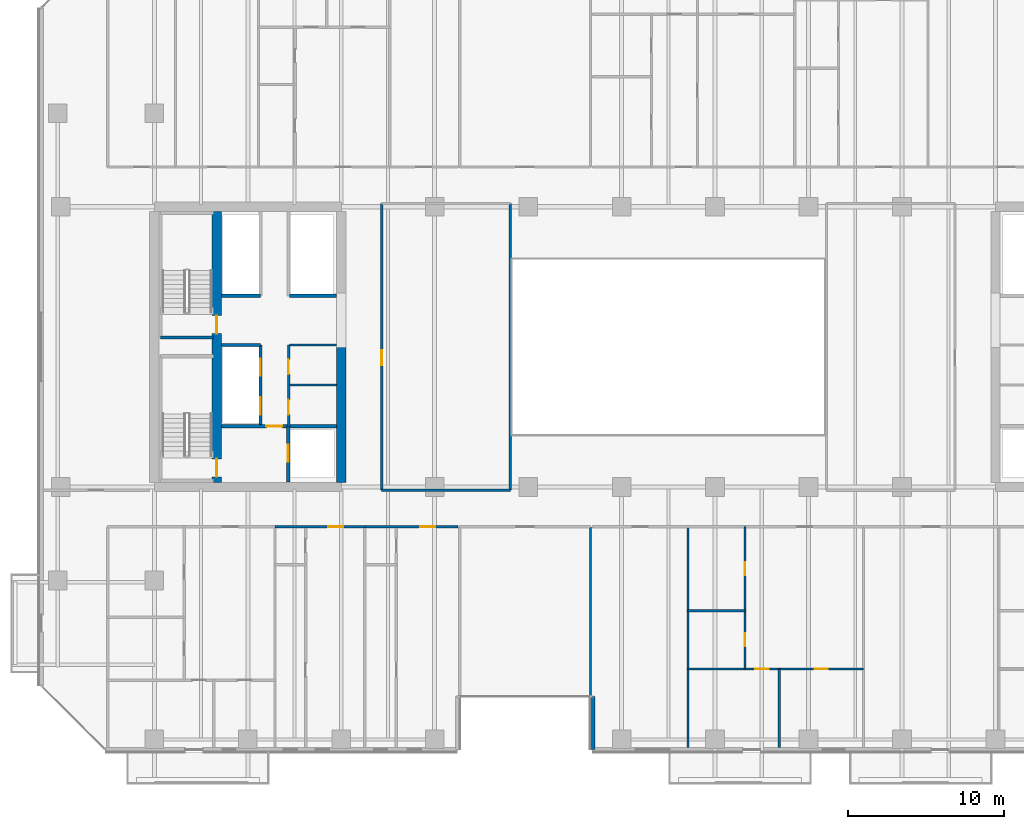
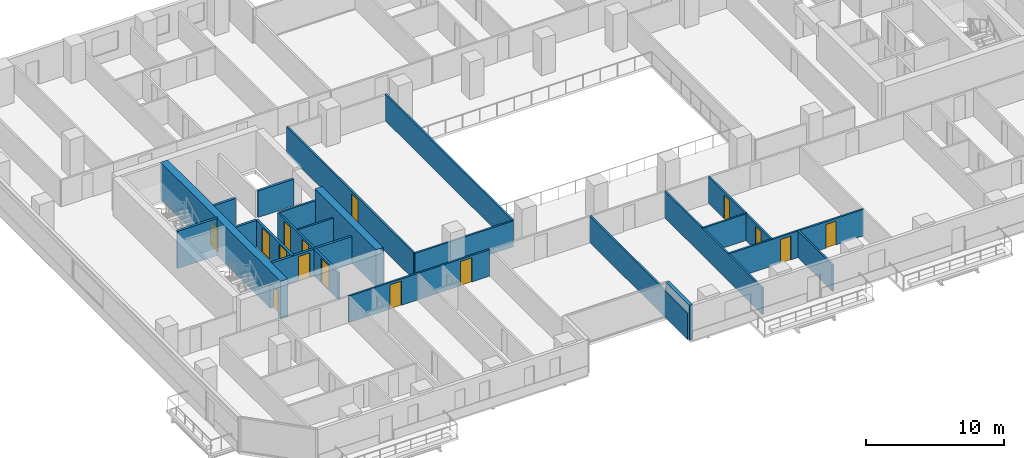
# One storey, part 18 of 33: 24 walls, 15 doors, 15 openings.
"""IFC4 building model written with IfcOpenShell, lengths in metres."""

import ifcopenshell
import ifcopenshell.guid

model = None  # the IFC model being written
_history = None  # IfcOwnerHistory: only IFC2X3 demands one
_inside = {}  # id of a spatial element -> (the spatial element, [elements in it])
_under = {}  # id of a project, library or spatial element -> (it, [spatial elements below it])
_declared = {}  # id of a project -> (the project, [libraries it declares])
_typed = {}  # id of a type object -> (the type object, [elements of that type])
_made_of = {}  # id of a material, layer set ... -> (it, [elements and type objects made of it])


def new_model(schema):
    """Start an empty IFC model of exactly this schema.

    Asked for "IFC4X3", IfcOpenShell would pick the latest addendum, in which some entities
    have other attributes; the version numbers below select the first issue.
    IFC2X3 requires an IfcOwnerHistory on every rooted entity: one is made here for all.
    """
    global model, _history
    if schema == "IFC4X3":
        model = ifcopenshell.file(schema_version=(4, 3, 0, 0))
    else:
        model = ifcopenshell.file(schema=schema)
    _inside.clear()
    _under.clear()
    _declared.clear()
    _typed.clear()
    _made_of.clear()
    _history = None
    if model.schema == "IFC2X3":
        org = make("IfcOrganization", Name="unknown")
        user = make(
            "IfcPersonAndOrganization",
            ThePerson=make("IfcPerson", FamilyName="unknown"),
            TheOrganization=org,
        )
        app = make(
            "IfcApplication",
            ApplicationDeveloper=org,
            Version="unknown",
            ApplicationFullName="unknown",
            ApplicationIdentifier="unknown",
        )
        _history = make(
            "IfcOwnerHistory",
            OwningUser=user,
            OwningApplication=app,
            ChangeAction="ADDED",
            CreationDate=0,
        )
    return model


def make(cls, **values):
    """One entity of the class cls with the attributes given. An attribute that is None is left unset."""
    return model.create_entity(
        cls, **{name: value for name, value in values.items() if value is not None}
    )


def rooted(cls, **values):
    """An entity with a GlobalId (a new one), such as an element, a storey or a relation."""
    return make(cls, GlobalId=ifcopenshell.guid.new(), OwnerHistory=_history, **values)


def si_unit(unit_type, name, prefix=None):
    """IfcSIUnit, for example si_unit("LENGTHUNIT", "METRE", prefix="MILLI")."""
    return make("IfcSIUnit", UnitType=unit_type, Prefix=prefix, Name=name)


def assignment(units):
    """IfcUnitAssignment: the units of a project."""
    return None if units is None else make("IfcUnitAssignment", Units=units)


def point(xyz):
    """IfcCartesianPoint."""
    return None if xyz is None else make("IfcCartesianPoint", Coordinates=xyz)


def direction(xyz):
    """IfcDirection."""
    return None if xyz is None else make("IfcDirection", DirectionRatios=xyz)


def frame(location, z_axis=None, x_axis=None):
    """IfcAxis2Placement3D, a coordinate frame: its origin and axes. An axis left out is left unset."""
    return make(
        "IfcAxis2Placement3D",
        Location=point(location),
        Axis=direction(z_axis),
        RefDirection=direction(x_axis),
    )


def frame_2d(location, x_axis=None):
    """IfcAxis2Placement2D, a coordinate frame in the plane: its origin and x axis."""
    return make(
        "IfcAxis2Placement2D", Location=point(location), RefDirection=direction(x_axis)
    )


def origin():
    """The frame at (0, 0, 0) with its axes left unset."""
    return frame((0.0, 0.0, 0.0))


def place(relative_to, where):
    """IfcLocalPlacement: puts the frame where relative to a parent placement (None: the world)."""
    return make(
        "IfcLocalPlacement", PlacementRelTo=relative_to, RelativePlacement=where
    )


def context(
    kind, dimensions, precision=None, world=None, true_north=None, identifier=None
):
    """IfcGeometricRepresentationContext, for example the 3D "Model" context."""
    return make(
        "IfcGeometricRepresentationContext",
        ContextIdentifier=identifier,
        ContextType=kind,
        CoordinateSpaceDimension=dimensions,
        Precision=precision,
        WorldCoordinateSystem=world,
        TrueNorth=true_north,
    )


def subcontext(parent, identifier, kind, view, scale=None):
    """IfcGeometricRepresentationSubContext, for example "Body" below "Model"."""
    return make(
        "IfcGeometricRepresentationSubContext",
        ContextIdentifier=identifier,
        ContextType=kind,
        ParentContext=parent,
        TargetScale=scale,
        TargetView=view,
    )


def project(units=None, contexts=None):
    """IfcProject with its units and contexts."""
    return rooted(
        "IfcProject",
        Name="project",
        RepresentationContexts=contexts,
        UnitsInContext=assignment(units),
    )


def spatial(cls, under=None, at=None, **own):
    """A site, building, storey or space (cls), placed at a placement, below another one or the project."""
    s = rooted(cls, ObjectPlacement=at, **own)
    if under is not None:
        _under.setdefault(under.id(), (under, []))[1].append(s)
    return s


def profile(cls, at=None, kind="AREA", **sizes):
    """A parametric profile (cls). Its sizes go by their IFC names, for example OverallWidth=200.0."""
    return make(cls, ProfileType=kind, Position=at, **sizes)


def rectangle(**sizes):
    """IfcRectangleProfileDef."""
    return profile("IfcRectangleProfileDef", **sizes)


def extrude(swept, where, along, depth):
    """IfcExtrudedAreaSolid: the profile swept, set in the frame where, extruded along a direction by depth."""
    return make(
        "IfcExtrudedAreaSolid",
        SweptArea=swept,
        Position=where,
        ExtrudedDirection=direction(along),
        Depth=depth,
    )


def shape(context_of_items, identifier, shape_type, items):
    """IfcShapeRepresentation: the items that make up one representation, for example the "Body"."""
    return make(
        "IfcShapeRepresentation",
        ContextOfItems=context_of_items,
        RepresentationIdentifier=identifier,
        RepresentationType=shape_type,
        Items=items,
    )


def material(Name=None, Category=None):
    """IfcMaterial."""
    return make("IfcMaterial", Name=Name, Category=Category)


def layer(
    of_material, thickness, ventilated=None, Name=None, Category=None, Priority=None
):
    """IfcMaterialLayer: one layer of a wall or slab, of a material (None: an air gap)."""
    return make(
        "IfcMaterialLayer",
        Material=of_material,
        LayerThickness=thickness,
        IsVentilated=ventilated,
        Name=Name,
        Category=Category,
        Priority=Priority,
    )


def layer_set(layers, Name=None):
    """IfcMaterialLayerSet."""
    return make("IfcMaterialLayerSet", MaterialLayers=layers, LayerSetName=Name)


def made_of(thing, what):
    """Note that an element or type object is made of a material, layer set ...; save() writes the relation."""
    if what is not None:
        _made_of.setdefault(what.id(), (what, []))[1].append(thing)
    return thing


def type_object(cls, material=None, **own):
    """A type object (cls), such as IfcWallType, which elements share."""
    return made_of(rooted(cls, **own), material)


def element(
    cls,
    number,
    at=None,
    inside=None,
    cuts=None,
    type_object=None,
    material=None,
    context=None,
    identifier="Body",
    shape_type=None,
    held_by="IfcProductDefinitionShape",
    body=None,
    shapes=None,
    **own,
):
    """One element of the class cls, such as IfcWall. Its Tag is "e" and its number.

    at: its placement. inside: the storey or other place that contains it. cuts: it is an
    opening in that element (IfcRelVoidsElement). A single representation is given by context,
    identifier, shape_type and body (its items); several are given by shapes. held_by: the class
    of the entity that holds the representations. save() writes the other relations.
    """
    e = rooted(cls, Tag="e%d" % number, ObjectPlacement=at, **own)
    if body is not None:
        shapes = [shape(context, identifier, shape_type, body)]
    if shapes is not None:
        e.Representation = make(held_by, Representations=shapes)
    if inside is not None:
        _inside.setdefault(inside.id(), (inside, []))[1].append(e)
    if cuts is not None:
        rooted(
            "IfcRelVoidsElement", RelatingBuildingElement=cuts, RelatedOpeningElement=e
        )
    if type_object is not None:
        _typed.setdefault(type_object.id(), (type_object, []))[1].append(e)
    return made_of(e, material)


def fill(opening, filler):
    """IfcRelFillsElement: the door or window that sits in an opening."""
    return rooted(
        "IfcRelFillsElement",
        RelatingOpeningElement=opening,
        RelatedBuildingElement=filler,
    )


def aggregate(whole, parts):
    """IfcRelAggregates: a whole, such as a stair, and the parts it consists of."""
    return rooted("IfcRelAggregates", RelatingObject=whole, RelatedObjects=parts)


def save(model, path):
    """Write the relations noted so far, then the file.

    IfcRelAggregates (storeys below a building ...), IfcRelContainedInSpatialStructure (elements
    in a storey), IfcRelDefinesByType, IfcRelAssociatesMaterial and IfcRelDeclares: one each for
    every whole, place, type object, material and project.
    """
    for whole, parts in _under.values():
        aggregate(whole, parts)
    for where, things in _inside.values():
        rooted(
            "IfcRelContainedInSpatialStructure",
            RelatedElements=things,
            RelatingStructure=where,
        )
    for kind, things in _typed.values():
        rooted("IfcRelDefinesByType", RelatedObjects=things, RelatingType=kind)
    for what, things in _made_of.values():
        rooted("IfcRelAssociatesMaterial", RelatedObjects=things, RelatingMaterial=what)
    for by, libraries in _declared.values():
        rooted("IfcRelDeclares", RelatingContext=by, RelatedDefinitions=libraries)
    model.write(path)


model = new_model("IFC4")

# Units and contexts
model_context = context("Model", 3, precision=1e-05, world=origin(), true_north=direction((0.0, 1.0)))
body_context = subcontext(model_context, "Body", "Model", "MODEL_VIEW")
ifc_project = project(units=[si_unit("LENGTHUNIT", "METRE"), si_unit("AREAUNIT", "SQUARE_METRE"), si_unit("VOLUMEUNIT", "CUBIC_METRE"), si_unit("PLANEANGLEUNIT", "RADIAN"), si_unit("MASSUNIT", "GRAM", prefix="KILO")], contexts=[model_context])

# Site, building, storey
site_placement = place(None, origin())
site = spatial("IfcSite", under=ifc_project, at=site_placement, CompositionType="ELEMENT")
building_placement = place(site_placement, origin())
building = spatial("IfcBuilding", under=site, at=building_placement, Name="Tanjung Sevakor Pilgrim Tower", CompositionType="ELEMENT")
storey_placement = place(building_placement, frame((0.0, 0.0, 32.340087890625)))
storey = spatial("IfcBuildingStorey", under=building, at=storey_placement, Name="L08", CompositionType="ELEMENT", Elevation=32.340087890625)

# Wall
ifc_material_1 = material(Name="Concrete C60/75", Category="concrete")
ifc_layer_1 = layer(ifc_material_1, 0.60009765625)
ifc_layer_set_1 = layer_set([ifc_layer_1], Name="WALL-CW-600")
wall_type_1 = type_object("IfcWallType", Name="WALL-CW-600", PredefinedType="SHEAR", material=ifc_layer_set_1)
wall_1_placement = place(storey_placement, frame((36.0, 24.89990234375, 0.0), z_axis=(0.0, 0.0, 1.0), x_axis=(0.0, 1.0, 0.0)))
element("IfcWall", 1, at=wall_1_placement, inside=storey, type_object=wall_type_1, Name="L08 W Core Inner Shear Wall South", PredefinedType="SHEAR", context=body_context, shape_type="SweptSolid", body=[
    extrude(rectangle(XDim=8.900146484375, YDim=0.60009765625, at=frame_2d((4.4501953125, 0.0))), origin(), (0.0, 0.0, 1.0), 3.2998046875),
])

# Wall, openings, doors
wall_2_placement = place(storey_placement, frame((28.0, 24.89990234375, 0.0), z_axis=(0.0, 0.0, 1.0), x_axis=(0.0, 1.0, 0.0)))
wall_2 = element("IfcWall", 2, at=wall_2_placement, inside=storey, type_object=wall_type_1, Name="L08 W Core Stair Spine Wall", PredefinedType="SHEAR", context=body_context, shape_type="SweptSolid", body=[
    extrude(rectangle(XDim=17.400146484375, YDim=0.60009765625, at=frame_2d((8.7001953125, 0.0))), origin(), (0.0, 0.0, 1.0), 3.2998046875),
])
opening_1_placement = place(wall_2_placement, frame((0.35009765625, 0.0, 0.0)))
opening_1 = element("IfcOpeningElement", 3, at=opening_1_placement, cuts=wall_2, Name="Opening ID-ST1", PredefinedType="OPENING", context=body_context, shape_type="SweptSolid", body=[
    extrude(rectangle(XDim=1.14990234375, YDim=2.14990234375, at=frame_2d((0.574951171875, 1.074951171875))), frame((0.0, 0.31005859375, 0.0), z_axis=(0.0, -1.0, 0.0), x_axis=(1.0, 0.0, 0.0)), (0.0, 0.0, 1.0), 0.6201171875),
])
opening_2_placement = place(wall_2_placement, frame((9.550048828125, 0.0, 0.0)))
opening_2 = element("IfcOpeningElement", 4, at=opening_2_placement, cuts=wall_2, Name="Opening ID-ST1", PredefinedType="OPENING", context=body_context, shape_type="SweptSolid", body=[
    extrude(rectangle(XDim=1.14990234375, YDim=2.14990234375, at=frame_2d((0.574951171875, 1.074951171875))), frame((0.0, 0.31005859375, 0.0), z_axis=(0.0, -1.0, 0.0), x_axis=(1.0, 0.0, 0.0)), (0.0, 0.0, 1.0), 0.6201171875),
])
ifc_material_2 = material(Name="Fire-Rated Steel S355J2", Category="steel")
door_type_1 = type_object("IfcDoorType", Name="DT-FIRE-1150", OperationType="NOTDEFINED", PredefinedType="DOOR", material=ifc_material_2)
door_1_placement = place(opening_1_placement, origin())
door_1 = element("IfcDoor", 5, at=door_1_placement, inside=storey, type_object=door_type_1, Name="L08 TS-W1 Stair Fire Door", OperationType="SINGLE_SWING_RIGHT", OverallHeight=2.14990234375, OverallWidth=1.14990234375, PredefinedType="DOOR", context=body_context, shape_type="SweptSolid", body=[
    extrude(rectangle(XDim=1.14990234375, YDim=2.14990234375, at=frame_2d((0.574951171875, 1.074951171875))), frame((0.0, 0.02490234375, 0.0), z_axis=(0.0, -1.0, 0.0), x_axis=(1.0, 0.0, 0.0)), (0.0, 0.0, 1.0), 0.050048828125),
])
fill(opening_1, door_1)
door_2_placement = place(opening_2_placement, origin())
door_2 = element("IfcDoor", 6, at=door_2_placement, inside=storey, type_object=door_type_1, Name="L08 TS-W2 Stair Fire Door", OperationType="SINGLE_SWING_LEFT", OverallHeight=2.14990234375, OverallWidth=1.14990234375, PredefinedType="DOOR", context=body_context, shape_type="SweptSolid", body=[
    extrude(rectangle(XDim=1.14990234375, YDim=2.14990234375, at=frame_2d((0.574951171875, 1.074951171875))), frame((0.0, 0.02490234375, 0.0), z_axis=(0.0, -1.0, 0.0), x_axis=(1.0, 0.0, 0.0)), (0.0, 0.0, 1.0), 0.050048828125),
])
fill(opening_2, door_2)

# Walls
ifc_material_3 = material(Name="Concrete C40/50", Category="concrete")
ifc_layer_2 = layer(ifc_material_3, 0.14990234375)
ifc_layer_set_2 = layer_set([ifc_layer_2], Name="WT-COMP-150")
wall_type_2 = type_object("IfcWallType", Name="WT-COMP-150", PredefinedType="SOLIDWALL", material=ifc_layer_set_2)
for number, where, z_axis, x_axis, name in (
    (7, (32.679931640625, 31.14990234375, 0.0), (0.0, 0.0, 1.0), (1.0, 0.0, 0.0), "L08 Partition IW-L08-005"),
    (8, (32.679931640625, 33.719970703125, 0.0), (0.0, 0.0, 1.0), (1.0, 0.0, 0.0), "L08 Partition IW-L08-006"),
):
    element("IfcWall", number, at=place(storey_placement, frame(where, z_axis=z_axis, x_axis=x_axis)), inside=storey, type_object=wall_type_2, Name=name, PredefinedType="SOLIDWALL", context=body_context, shape_type="SweptSolid", body=[
        extrude(rectangle(XDim=3.0, YDim=0.14990234375, at=frame_2d((1.5, 0.0))), origin(), (0.0, 0.0, 1.0), 2.35009765625),
    ])

# Wall, openings, doors
wall_3_placement = place(storey_placement, frame((32.6201171875, 28.5, 0.0), z_axis=(0.0, 0.0, 1.0), x_axis=(0.0, 1.0, 0.0)))
wall_3 = element("IfcWall", 9, at=wall_3_placement, inside=storey, type_object=wall_type_2, Name="L08 Partition IW-L08-007", PredefinedType="SOLIDWALL", context=body_context, shape_type="SweptSolid", body=[
    extrude(rectangle(XDim=5.219970703125, YDim=0.14990234375, at=frame_2d((2.60986328125, 0.0))), origin(), (0.0, 0.0, 1.0), 2.35009765625),
])
opening_3_placement = place(wall_3_placement, frame((0.75, 0.0, 0.0)))
opening_3 = element("IfcOpeningElement", 10, at=opening_3_placement, cuts=wall_3, Name="Opening ID-FD2", PredefinedType="OPENING", context=body_context, shape_type="SweptSolid", body=[
    extrude(rectangle(XDim=0.949951171875, YDim=2.14990234375, at=frame_2d((0.47509765625, 1.074951171875))), frame((0.0, 0.0849609375, 0.0), z_axis=(0.0, -1.0, 0.0), x_axis=(1.0, 0.0, 0.0)), (0.0, 0.0, 1.0), 0.169921875),
])
opening_4_placement = place(wall_3_placement, frame((3.35009765625, 0.0, 0.0)))
opening_4 = element("IfcOpeningElement", 11, at=opening_4_placement, cuts=wall_3, Name="Opening ID-FD2", PredefinedType="OPENING", context=body_context, shape_type="SweptSolid", body=[
    extrude(rectangle(XDim=0.949951171875, YDim=2.14990234375, at=frame_2d((0.47509765625, 1.074951171875))), frame((0.0, 0.0849609375, 0.0), z_axis=(0.0, -1.0, 0.0), x_axis=(1.0, 0.0, 0.0)), (0.0, 0.0, 1.0), 0.169921875),
])
ifc_material_4 = material(Name="Fire-Rated Timber", Category="wood")
door_type_2 = type_object("IfcDoorType", Name="DT-FIRE-950", OperationType="NOTDEFINED", PredefinedType="DOOR", material=ifc_material_4)
door_3_placement = place(opening_3_placement, origin())
door_3 = element("IfcDoor", 12, at=door_3_placement, inside=storey, type_object=door_type_2, Name="L08 Accessible WC Door", OperationType="SINGLE_SWING_LEFT", OverallHeight=2.14990234375, OverallWidth=0.949951171875, PredefinedType="DOOR", context=body_context, shape_type="SweptSolid", body=[
    extrude(rectangle(XDim=0.949951171875, YDim=2.14990234375, at=frame_2d((0.47509765625, 1.074951171875))), frame((0.0, 0.02490234375, 0.0), z_axis=(0.0, -1.0, 0.0), x_axis=(1.0, 0.0, 0.0)), (0.0, 0.0, 1.0), 0.050048828125),
])
fill(opening_3, door_3)
door_4_placement = place(opening_4_placement, origin())
door_4 = element("IfcDoor", 13, at=door_4_placement, inside=storey, type_object=door_type_2, Name="L08 Core Service Door", OperationType="SINGLE_SWING_RIGHT", OverallHeight=2.14990234375, OverallWidth=0.949951171875, PredefinedType="DOOR", context=body_context, shape_type="SweptSolid", body=[
    extrude(rectangle(XDim=0.949951171875, YDim=2.14990234375, at=frame_2d((0.47509765625, 1.074951171875))), frame((0.0, 0.02490234375, 0.0), z_axis=(0.0, -1.0, 0.0), x_axis=(1.0, 0.0, 0.0)), (0.0, 0.0, 1.0), 0.050048828125),
])
fill(opening_4, door_4)

# Wall
wall_4_placement = place(storey_placement, frame((38.60009765625, 24.39990234375, 0.0), z_axis=(0.0, 0.0, 1.0), x_axis=(1.0, 0.0, 0.0)))
element("IfcWall", 14, at=wall_4_placement, inside=storey, type_object=wall_type_2, Name="L08 Partition IW-L08-023", PredefinedType="SOLIDWALL", context=body_context, shape_type="SweptSolid", body=[
    extrude(rectangle(XDim=8.25, YDim=0.14990234375, at=frame_2d((4.125, 0.0))), origin(), (0.0, 0.0, 1.0), 2.295166015625),
])

# Wall, opening, door
wall_5_placement = place(storey_placement, frame((38.60009765625, 24.39990234375, 0.0), z_axis=(0.0, 0.0, 1.0), x_axis=(0.0, 1.0, 0.0)))
wall_5 = element("IfcWall", 15, at=wall_5_placement, inside=storey, type_object=wall_type_2, Name="L08 Partition IW-L08-025", PredefinedType="SOLIDWALL", context=body_context, shape_type="SweptSolid", body=[
    extrude(rectangle(XDim=18.400146484375, YDim=0.14990234375, at=frame_2d((9.2001953125, 0.0))), origin(), (0.0, 0.0, 1.0), 2.35009765625),
])
opening_5_placement = place(wall_5_placement, frame((8.02490234375, 0.0, 0.0)))
opening_5 = element("IfcOpeningElement", 16, at=opening_5_placement, cuts=wall_5, Name="Opening ID-RM1", PredefinedType="OPENING", context=body_context, shape_type="SweptSolid", body=[
    extrude(rectangle(XDim=0.949951171875, YDim=2.14990234375, at=frame_2d((0.47509765625, 1.074951171875))), frame((0.0, 0.0849609375, 0.0), z_axis=(0.0, -1.0, 0.0), x_axis=(1.0, 0.0, 0.0)), (0.0, 0.0, 1.0), 0.169921875),
])
ifc_material_5 = material(Name="Hardwood Timber", Category="wood")
door_type_3 = type_object("IfcDoorType", Name="DT-INT-950", OperationType="NOTDEFINED", PredefinedType="DOOR", material=ifc_material_5)
door_5_placement = place(opening_5_placement, origin())
door_5 = element("IfcDoor", 17, at=door_5_placement, inside=storey, type_object=door_type_3, Name="L08 Central West Room Door", OperationType="SINGLE_SWING_LEFT", OverallHeight=2.14990234375, OverallWidth=0.949951171875, PredefinedType="DOOR", context=body_context, shape_type="SweptSolid", body=[
    extrude(rectangle(XDim=0.949951171875, YDim=2.14990234375, at=frame_2d((0.47509765625, 1.074951171875))), frame((0.0, 0.02490234375, 0.0), z_axis=(0.0, -1.0, 0.0), x_axis=(1.0, 0.0, 0.0)), (0.0, 0.0, 1.0), 0.050048828125),
])
fill(opening_5, door_5)

# Walls
wall_6_placement = place(storey_placement, frame((46.85009765625, 24.39990234375, 0.0), z_axis=(0.0, 0.0, 1.0), x_axis=(0.0, 1.0, 0.0)))
element("IfcWall", 18, at=wall_6_placement, inside=storey, type_object=wall_type_2, Name="L08 Partition IW-L08-026", PredefinedType="SOLIDWALL", context=body_context, shape_type="SweptSolid", body=[
    extrude(rectangle(XDim=18.400146484375, YDim=0.14990234375, at=frame_2d((9.2001953125, 0.0))), origin(), (0.0, 0.0, 1.0), 2.35009765625),
])
wall_7_placement = place(storey_placement, frame((52.0, 7.8798828125, 0.0), z_axis=(0.0, 0.0, 1.0), x_axis=(0.0, 1.0, 0.0)))
element("IfcWall", 19, at=wall_7_placement, inside=storey, type_object=wall_type_2, Name="L08 Partition IW-L08-040", PredefinedType="SOLIDWALL", context=body_context, shape_type="SweptSolid", body=[
    extrude(rectangle(XDim=14.170166015625, YDim=0.14990234375, at=frame_2d((7.0849609375, 0.0))), origin(), (0.0, 0.0, 1.0), 2.35009765625),
])

# Wall, opening, door
wall_8_placement = place(storey_placement, frame((31.751220703125, 22.050048828125, 0.0), z_axis=(0.0, 0.0, 1.0), x_axis=(1.0, 0.0, 0.0)))
wall_8 = element("IfcWall", 20, at=wall_8_placement, inside=storey, type_object=wall_type_2, Name="L08 Partition IW-L08-054", PredefinedType="SOLIDWALL", context=body_context, shape_type="SweptSolid", body=[
    extrude(rectangle(XDim=5.761474609375, YDim=0.14990234375, at=frame_2d((2.880859375, 0.0))), origin(), (0.0, 0.0, 1.0), 2.35009765625),
])
opening_6_placement = place(wall_8_placement, frame((3.42529296875, 0.0, 0.0)))
opening_6 = element("IfcOpeningElement", 21, at=opening_6_placement, cuts=wall_8, Name="Opening ID-FD2", PredefinedType="OPENING", context=body_context, shape_type="SweptSolid", body=[
    extrude(rectangle(XDim=0.949951171875, YDim=2.14990234375, at=frame_2d((0.47509765625, 1.074951171875))), frame((0.0, 0.0849609375, 0.0), z_axis=(0.0, -1.0, 0.0), x_axis=(1.0, 0.0, 0.0)), (0.0, 0.0, 1.0), 0.169921875),
])
door_6_placement = place(opening_6_placement, origin())
door_6 = element("IfcDoor", 22, at=door_6_placement, inside=storey, type_object=door_type_2, Name="Hotel Guestroom Entrance", OperationType="SINGLE_SWING_LEFT", OverallHeight=2.14990234375, OverallWidth=0.949951171875, PredefinedType="DOOR", context=body_context, shape_type="SweptSolid", body=[
    extrude(rectangle(XDim=0.949951171875, YDim=2.14990234375, at=frame_2d((0.47509765625, 1.074951171875))), frame((0.0, 0.02490234375, 0.0), z_axis=(0.0, -1.0, 0.0), x_axis=(1.0, 0.0, 0.0)), (0.0, 0.0, 1.0), 0.050048828125),
])
fill(opening_6, door_6)

wall_9_placement = place(storey_placement, frame((37.5126953125, 22.050048828125, 0.0), z_axis=(0.0, 0.0, 1.0), x_axis=(1.0, 0.0, 0.0)))
wall_9 = element("IfcWall", 23, at=wall_9_placement, inside=storey, type_object=wall_type_2, Name="L08 Partition IW-L08-057", PredefinedType="SOLIDWALL", context=body_context, shape_type="SweptSolid", body=[
    extrude(rectangle(XDim=5.96728515625, YDim=0.14990234375, at=frame_2d((2.983642578125, 0.0))), origin(), (0.0, 0.0, 1.0), 2.35009765625),
])
opening_7_placement = place(wall_9_placement, frame((3.56298828125, 0.0, 0.0)))
opening_7 = element("IfcOpeningElement", 24, at=opening_7_placement, cuts=wall_9, Name="Opening ID-FD2", PredefinedType="OPENING", context=body_context, shape_type="SweptSolid", body=[
    extrude(rectangle(XDim=0.949951171875, YDim=2.14990234375, at=frame_2d((0.47509765625, 1.074951171875))), frame((0.0, 0.0849609375, 0.0), z_axis=(0.0, -1.0, 0.0), x_axis=(1.0, 0.0, 0.0)), (0.0, 0.0, 1.0), 0.169921875),
])
door_7_placement = place(opening_7_placement, origin())
door_7 = element("IfcDoor", 25, at=door_7_placement, inside=storey, type_object=door_type_2, Name="Hostel Quad Entrance", OperationType="SINGLE_SWING_RIGHT", OverallHeight=2.14990234375, OverallWidth=0.949951171875, PredefinedType="DOOR", context=body_context, shape_type="SweptSolid", body=[
    extrude(rectangle(XDim=0.949951171875, YDim=2.14990234375, at=frame_2d((0.47509765625, 1.074951171875))), frame((0.0, 0.02490234375, 0.0), z_axis=(0.0, -1.0, 0.0), x_axis=(1.0, 0.0, 0.0)), (0.0, 0.0, 1.0), 0.050048828125),
])
fill(opening_7, door_7)

# Walls
wall_10_placement = place(storey_placement, frame((58.262939453125, 7.8798828125, 0.0), z_axis=(0.0, 0.0, 1.0), x_axis=(0.0, 1.0, 0.0)))
element("IfcWall", 26, at=wall_10_placement, inside=storey, type_object=wall_type_2, Name="L08 Partition IW-L08-059", PredefinedType="SOLIDWALL", context=body_context, shape_type="SweptSolid", body=[
    extrude(rectangle(XDim=14.170166015625, YDim=0.14990234375, at=frame_2d((7.0849609375, 0.0))), origin(), (0.0, 0.0, 1.0), 2.35009765625),
])
ifc_material_6 = material(Name="Precast concrete C45/55", Category="concrete")
ifc_layer_3 = layer(ifc_material_6, 0.280029296875)
ifc_layer_set_3 = layer_set([ifc_layer_3], Name="WT-EW-STN2")
wall_type_3 = type_object("IfcWallType", Name="WT-EW-STN2", PredefinedType="SOLIDWALL", material=ifc_layer_set_3)
wall_11_placement = place(storey_placement, frame((52.139892578125, 11.139892578125, 0.0), z_axis=(0.0, 0.0, 1.0), x_axis=(0.0, -1.0, 0.0)))
element("IfcWall", 27, at=wall_11_placement, inside=storey, type_object=wall_type_3, Name="L08 MAIN Exterior Wall 4", PredefinedType="SOLIDWALL", context=body_context, shape_type="SweptSolid", body=[
    extrude(rectangle(XDim=3.39990234375, YDim=0.280029296875, at=frame_2d((1.699951171875, 0.0))), origin(), (0.0, 0.0, 1.0), 3.080078125),
])
ifc_material_7 = material(Name="Concrete C40/50", Category="concrete")
ifc_layer_4 = layer(ifc_material_7, 0.199951171875)
ifc_layer_set_4 = layer_set([ifc_layer_4], Name="WT-FIRE-200")
wall_type_4 = type_object("IfcWallType", Name="WT-FIRE-200", PredefinedType="SOLIDWALL", material=ifc_layer_set_4)
wall_12_placement = place(storey_placement, frame((24.39990234375, 34.199951171875, 0.0), z_axis=(0.0, 0.0, 1.0), x_axis=(1.0, 0.0, 0.0)))
element("IfcWall", 28, at=wall_12_placement, inside=storey, type_object=wall_type_4, Name="L08 TS-W2 Shaft Wall 1", PredefinedType="SOLIDWALL", context=body_context, shape_type="SweptSolid", body=[
    extrude(rectangle(XDim=3.400146484375, YDim=0.199951171875, at=frame_2d((1.7001953125, 0.0))), origin(), (0.0, 0.0, 1.0), 3.2998046875),
])

# Wall, opening, door
ifc_material_8 = material(Name="Concrete C40/50", Category="concrete")
ifc_layer_5 = layer(ifc_material_8, 0.199951171875)
ifc_layer_set_5 = layer_set([ifc_layer_5], Name="WT-FPRT-200")
wall_type_5 = type_object("IfcWallType", Name="WT-FPRT-200", PredefinedType="SOLIDWALL", material=ifc_layer_set_5)
wall_13_placement = place(storey_placement, frame((32.60009765625, 24.919921875, 0.0), z_axis=(0.0, 0.0, 1.0), x_axis=(0.0, 1.0, 0.0)))
wall_13 = element("IfcWall", 29, at=wall_13_placement, inside=storey, type_object=wall_type_5, Name="L08 Partition IW-L08-001", PredefinedType="SOLIDWALL", context=body_context, shape_type="SweptSolid", body=[
    extrude(rectangle(XDim=3.580078125, YDim=0.199951171875, at=frame_2d((1.7900390625, 0.0))), origin(), (0.0, 0.0, 1.0), 2.35009765625),
])
opening_8_placement = place(wall_13_placement, frame((1.300048828125, 0.0, 0.0)))
opening_8 = element("IfcOpeningElement", 30, at=opening_8_placement, cuts=wall_13, Name="Opening LD-1100", PredefinedType="OPENING", context=body_context, shape_type="SweptSolid", body=[
    extrude(rectangle(XDim=1.10009765625, YDim=2.199951171875, at=frame_2d((0.550048828125, 1.10009765625))), frame((0.0, 0.10986328125, 0.0), z_axis=(0.0, -1.0, 0.0), x_axis=(1.0, 0.0, 0.0)), (0.0, 0.0, 1.0), 0.219970703125),
])
ifc_material_9 = material(Name="Brushed Stainless Steel S355J2", Category="steel")
door_type_4 = type_object("IfcDoorType", Name="DT-LIFT-1100", OperationType="SLIDING_TO_LEFT", PredefinedType="DOOR", material=ifc_material_9)
door_8_placement = place(opening_8_placement, origin())
door_8 = element("IfcDoor", 31, at=door_8_placement, inside=storey, type_object=door_type_4, Name="LD-FL-W", OperationType="SLIDING_TO_LEFT", OverallHeight=2.199951171875, OverallWidth=1.10009765625, PredefinedType="DOOR", context=body_context, shape_type="SweptSolid", body=[
    extrude(rectangle(XDim=1.10009765625, YDim=2.199951171875, at=frame_2d((0.550048828125, 1.10009765625))), frame((0.0, 0.02490234375, 0.0), z_axis=(0.0, -1.0, 0.0), x_axis=(1.0, 0.0, 0.0)), (0.0, 0.0, 1.0), 0.050048828125),
])
fill(opening_8, door_8)

wall_14_placement = place(storey_placement, frame((28.320068359375, 28.5, 0.0), z_axis=(0.0, 0.0, 1.0), x_axis=(1.0, 0.0, 0.0)))
wall_14 = element("IfcWall", 32, at=wall_14_placement, inside=storey, type_object=wall_type_5, Name="L08 Partition IW-L08-002", PredefinedType="SOLIDWALL", context=body_context, shape_type="SweptSolid", body=[
    extrude(rectangle(XDim=7.35986328125, YDim=0.199951171875, at=frame_2d((3.679931640625, 0.0))), origin(), (0.0, 0.0, 1.0), 2.35009765625),
])
opening_9_placement = place(wall_14_placement, frame((2.8798828125, 0.0, 0.0)))
opening_9 = element("IfcOpeningElement", 33, at=opening_9_placement, cuts=wall_14, Name="Opening ID-FD1", PredefinedType="OPENING", context=body_context, shape_type="SweptSolid", body=[
    extrude(rectangle(XDim=1.0, YDim=2.14990234375, at=frame_2d((0.5, 1.074951171875))), frame((0.0, 0.10986328125, 0.0), z_axis=(0.0, -1.0, 0.0), x_axis=(1.0, 0.0, 0.0)), (0.0, 0.0, 1.0), 0.219970703125),
])
ifc_material_10 = material(Name="Fire-Rated Steel S355J2", Category="steel")
door_type_5 = type_object("IfcDoorType", Name="DT-FIRE-1000", OperationType="NOTDEFINED", PredefinedType="DOOR", material=ifc_material_10)
door_9_placement = place(opening_9_placement, origin())
door_9 = element("IfcDoor", 34, at=door_9_placement, inside=storey, type_object=door_type_5, Name="Fire Lobby Door W", OperationType="SINGLE_SWING_RIGHT", OverallHeight=2.14990234375, OverallWidth=1.0, PredefinedType="DOOR", context=body_context, shape_type="SweptSolid", body=[
    extrude(rectangle(XDim=1.0, YDim=2.14990234375, at=frame_2d((0.5, 1.074951171875))), frame((0.0, 0.02490234375, 0.0), z_axis=(0.0, -1.0, 0.0), x_axis=(1.0, 0.0, 0.0)), (0.0, 0.0, 1.0), 0.050048828125),
])
fill(opening_9, door_9)

# Wall
wall_15_placement = place(storey_placement, frame((28.320068359375, 33.719970703125, 0.0), z_axis=(0.0, 0.0, 1.0), x_axis=(1.0, 0.0, 0.0)))
element("IfcWall", 35, at=wall_15_placement, inside=storey, type_object=wall_type_5, Name="L08 Partition IW-L08-003", PredefinedType="SOLIDWALL", context=body_context, shape_type="SweptSolid", body=[
    extrude(rectangle(XDim=2.47998046875, YDim=0.199951171875, at=frame_2d((1.239990234375, 0.0))), origin(), (0.0, 0.0, 1.0), 2.35009765625),
])

# Wall, openings, doors
wall_16_placement = place(storey_placement, frame((30.820068359375, 28.5, 0.0), z_axis=(0.0, 0.0, 1.0), x_axis=(0.0, 1.0, 0.0)))
wall_16 = element("IfcWall", 36, at=wall_16_placement, inside=storey, type_object=wall_type_5, Name="L08 Partition IW-L08-004", PredefinedType="SOLIDWALL", context=body_context, shape_type="SweptSolid", body=[
    extrude(rectangle(XDim=5.219970703125, YDim=0.199951171875, at=frame_2d((2.60986328125, 0.0))), origin(), (0.0, 0.0, 1.0), 2.35009765625),
])
opening_10_placement = place(wall_16_placement, frame((0.75, 0.0, 0.0)))
opening_10 = element("IfcOpeningElement", 37, at=opening_10_placement, cuts=wall_16, Name="Opening LD-1100", PredefinedType="OPENING", context=body_context, shape_type="SweptSolid", body=[
    extrude(rectangle(XDim=1.10009765625, YDim=2.199951171875, at=frame_2d((0.550048828125, 1.10009765625))), frame((0.0, 0.10986328125, 0.0), z_axis=(0.0, -1.0, 0.0), x_axis=(1.0, 0.0, 0.0)), (0.0, 0.0, 1.0), 0.219970703125),
])
opening_11_placement = place(wall_16_placement, frame((3.25, 0.0, 0.0)))
opening_11 = element("IfcOpeningElement", 38, at=opening_11_placement, cuts=wall_16, Name="Opening LD-1100", PredefinedType="OPENING", context=body_context, shape_type="SweptSolid", body=[
    extrude(rectangle(XDim=1.10009765625, YDim=2.199951171875, at=frame_2d((0.550048828125, 1.10009765625))), frame((0.0, 0.10986328125, 0.0), z_axis=(0.0, -1.0, 0.0), x_axis=(1.0, 0.0, 0.0)), (0.0, 0.0, 1.0), 0.219970703125),
])
door_10_placement = place(opening_10_placement, origin())
door_10 = element("IfcDoor", 39, at=door_10_placement, inside=storey, type_object=door_type_4, Name="LD-PLL1-W", OperationType="SLIDING_TO_LEFT", OverallHeight=2.199951171875, OverallWidth=1.10009765625, PredefinedType="DOOR", context=body_context, shape_type="SweptSolid", body=[
    extrude(rectangle(XDim=1.10009765625, YDim=2.199951171875, at=frame_2d((0.550048828125, 1.10009765625))), frame((0.0, 0.02490234375, 0.0), z_axis=(0.0, -1.0, 0.0), x_axis=(1.0, 0.0, 0.0)), (0.0, 0.0, 1.0), 0.050048828125),
])
fill(opening_10, door_10)
door_11_placement = place(opening_11_placement, origin())
door_11 = element("IfcDoor", 40, at=door_11_placement, inside=storey, type_object=door_type_4, Name="LD-PLL2-W", OperationType="SLIDING_TO_RIGHT", OverallHeight=2.199951171875, OverallWidth=1.10009765625, PredefinedType="DOOR", context=body_context, shape_type="SweptSolid", body=[
    extrude(rectangle(XDim=1.10009765625, YDim=2.199951171875, at=frame_2d((0.550048828125, 1.10009765625))), frame((0.0, 0.02490234375, 0.0), z_axis=(0.0, -1.0, 0.0), x_axis=(1.0, 0.0, 0.0)), (0.0, 0.0, 1.0), 0.050048828125),
])
fill(opening_11, door_11)

# Walls
wall_17_placement = place(storey_placement, frame((28.320068359375, 36.8798828125, 0.0), z_axis=(0.0, 0.0, 1.0), x_axis=(1.0, 0.0, 0.0)))
element("IfcWall", 41, at=wall_17_placement, inside=storey, type_object=wall_type_5, Name="L08 Partition IW-L08-008", PredefinedType="SOLIDWALL", context=body_context, shape_type="SweptSolid", body=[
    extrude(rectangle(XDim=2.47998046875, YDim=0.199951171875, at=frame_2d((1.239990234375, 0.0))), origin(), (0.0, 0.0, 1.0), 2.35009765625),
])
wall_18_placement = place(storey_placement, frame((32.679931640625, 36.8798828125, 0.0), z_axis=(0.0, 0.0, 1.0), x_axis=(1.0, 0.0, 0.0)))
element("IfcWall", 42, at=wall_18_placement, inside=storey, type_object=wall_type_5, Name="L08 Partition IW-L08-010", PredefinedType="SOLIDWALL", context=body_context, shape_type="SweptSolid", body=[
    extrude(rectangle(XDim=3.0, YDim=0.199951171875, at=frame_2d((1.5, 0.0))), origin(), (0.0, 0.0, 1.0), 2.35009765625),
])
ifc_material_11 = material(Name="Gypsum Board Partition", Category="gypsum board")
ifc_layer_6 = layer(ifc_material_11, 0.14990234375)
ifc_layer_set_6 = layer_set([ifc_layer_6], Name="WT-PART-150")
wall_type_6 = type_object("IfcWallType", Name="WT-PART-150", PredefinedType="PARTITIONING", material=ifc_layer_set_6)
wall_19_placement = place(storey_placement, frame((58.262939453125, 16.661865234375, 0.0), z_axis=(0.0, 0.0, 1.0), x_axis=(1.0, 0.0, 0.0)))
element("IfcWall", 43, at=wall_19_placement, inside=storey, type_object=wall_type_6, Name="L08 Partition IW-L08-062", PredefinedType="PARTITIONING", context=body_context, shape_type="SweptSolid", body=[
    extrude(rectangle(XDim=3.656982421875, YDim=0.14990234375, at=frame_2d((1.82861328125, 0.0))), origin(), (0.0, 0.0, 1.0), 2.35009765625),
])

# Wall, openings, doors
wall_20_placement = place(storey_placement, frame((61.919921875, 12.91748046875, 0.0), z_axis=(0.0, 0.0, 1.0), x_axis=(0.0, 1.0, 0.0)))
wall_20 = element("IfcWall", 44, at=wall_20_placement, inside=storey, type_object=wall_type_6, Name="L08 Partition IW-L08-063", PredefinedType="PARTITIONING", context=body_context, shape_type="SweptSolid", body=[
    extrude(rectangle(XDim=9.132568359375, YDim=0.14990234375, at=frame_2d((4.56640625, 0.0))), origin(), (0.0, 0.0, 1.0), 2.35009765625),
])
opening_12_placement = place(wall_20_placement, frame((1.447265625, 0.0, 0.0)))
opening_12 = element("IfcOpeningElement", 45, at=opening_12_placement, cuts=wall_20, Name="Opening ID-WC1", PredefinedType="OPENING", context=body_context, shape_type="SweptSolid", body=[
    extrude(rectangle(XDim=0.85009765625, YDim=2.10009765625, at=frame_2d((0.425048828125, 1.050048828125))), frame((0.0, 0.0849609375, 0.0), z_axis=(0.0, -1.0, 0.0), x_axis=(1.0, 0.0, 0.0)), (0.0, 0.0, 1.0), 0.169921875),
])
opening_13_placement = place(wall_20_placement, frame((6.013427734375, 0.0, 0.0)))
opening_13 = element("IfcOpeningElement", 46, at=opening_13_placement, cuts=wall_20, Name="Opening ID-WC1", PredefinedType="OPENING", context=body_context, shape_type="SweptSolid", body=[
    extrude(rectangle(XDim=0.85009765625, YDim=2.10009765625, at=frame_2d((0.425048828125, 1.050048828125))), frame((0.0, 0.0849609375, 0.0), z_axis=(0.0, -1.0, 0.0), x_axis=(1.0, 0.0, 0.0)), (0.0, 0.0, 1.0), 0.169921875),
])
ifc_material_12 = material(Name="Moisture-Resistant Timber", Category="wood")
door_type_6 = type_object("IfcDoorType", Name="DT-INT-850", OperationType="NOTDEFINED", PredefinedType="DOOR", material=ifc_material_12)
door_12_placement = place(opening_12_placement, origin())
door_12 = element("IfcDoor", 47, at=door_12_placement, inside=storey, type_object=door_type_6, Name="Suite Bathroom Door", OperationType="SINGLE_SWING_RIGHT", OverallHeight=2.10009765625, OverallWidth=0.85009765625, PredefinedType="DOOR", context=body_context, shape_type="SweptSolid", body=[
    extrude(rectangle(XDim=0.85009765625, YDim=2.10009765625, at=frame_2d((0.425048828125, 1.050048828125))), frame((0.0, 0.02490234375, 0.0), z_axis=(0.0, -1.0, 0.0), x_axis=(1.0, 0.0, 0.0)), (0.0, 0.0, 1.0), 0.050048828125),
])
fill(opening_12, door_12)
door_13_placement = place(opening_13_placement, origin())
door_13 = element("IfcDoor", 48, at=door_13_placement, inside=storey, type_object=door_type_6, Name="Suite Kitchenette Door", OperationType="SINGLE_SWING_LEFT", OverallHeight=2.10009765625, OverallWidth=0.85009765625, PredefinedType="DOOR", context=body_context, shape_type="SweptSolid", body=[
    extrude(rectangle(XDim=0.85009765625, YDim=2.10009765625, at=frame_2d((0.425048828125, 1.050048828125))), frame((0.0, 0.02490234375, 0.0), z_axis=(0.0, -1.0, 0.0), x_axis=(1.0, 0.0, 0.0)), (0.0, 0.0, 1.0), 0.050048828125),
])
fill(opening_13, door_13)

# Wall
wall_21_placement = place(storey_placement, frame((64.119140625, 7.8798828125, 0.0), z_axis=(0.0, 0.0, 1.0), x_axis=(0.0, 1.0, 0.0)))
element("IfcWall", 49, at=wall_21_placement, inside=storey, type_object=wall_type_6, Name="L08 Partition IW-L08-064", PredefinedType="PARTITIONING", context=body_context, shape_type="SweptSolid", body=[
    extrude(rectangle(XDim=5.03759765625, YDim=0.14990234375, at=frame_2d((2.518798828125, 0.0))), origin(), (0.0, 0.0, 1.0), 2.35009765625),
])

# Wall, openings, doors
wall_22_placement = place(storey_placement, frame((58.262939453125, 12.91748046875, 0.0), z_axis=(0.0, 0.0, 1.0), x_axis=(1.0, 0.0, 0.0)))
wall_22 = element("IfcWall", 50, at=wall_22_placement, inside=storey, type_object=wall_type_6, Name="L08 Partition IW-L08-065", PredefinedType="PARTITIONING", context=body_context, shape_type="SweptSolid", body=[
    extrude(rectangle(XDim=11.261962890625, YDim=0.14990234375, at=frame_2d((5.630859375, 0.0))), origin(), (0.0, 0.0, 1.0), 2.35009765625),
])
opening_14_placement = place(wall_22_placement, frame((4.331787109375, 0.0, 0.0)))
opening_14 = element("IfcOpeningElement", 51, at=opening_14_placement, cuts=wall_22, Name="Opening ID-WC1", PredefinedType="OPENING", context=body_context, shape_type="SweptSolid", body=[
    extrude(rectangle(XDim=0.85009765625, YDim=2.10009765625, at=frame_2d((0.425048828125, 1.050048828125))), frame((0.0, 0.0849609375, 0.0), z_axis=(0.0, -1.0, 0.0), x_axis=(1.0, 0.0, 0.0)), (0.0, 0.0, 1.0), 0.169921875),
])
opening_15_placement = place(wall_22_placement, frame((8.134033203125, 0.0, 0.0)))
opening_15 = element("IfcOpeningElement", 52, at=opening_15_placement, cuts=wall_22, Name="Opening ID-WC1", PredefinedType="OPENING", context=body_context, shape_type="SweptSolid", body=[
    extrude(rectangle(XDim=0.85009765625, YDim=2.10009765625, at=frame_2d((0.425048828125, 1.050048828125))), frame((0.0, 0.0849609375, 0.0), z_axis=(0.0, -1.0, 0.0), x_axis=(1.0, 0.0, 0.0)), (0.0, 0.0, 1.0), 0.169921875),
])
door_14_placement = place(opening_14_placement, origin())
door_14 = element("IfcDoor", 53, at=door_14_placement, inside=storey, type_object=door_type_6, Name="Suite Bedroom 1 Door", OperationType="SINGLE_SWING_RIGHT", OverallHeight=2.10009765625, OverallWidth=0.85009765625, PredefinedType="DOOR", context=body_context, shape_type="SweptSolid", body=[
    extrude(rectangle(XDim=0.85009765625, YDim=2.10009765625, at=frame_2d((0.425048828125, 1.050048828125))), frame((0.0, 0.02490234375, 0.0), z_axis=(0.0, -1.0, 0.0), x_axis=(1.0, 0.0, 0.0)), (0.0, 0.0, 1.0), 0.050048828125),
])
fill(opening_14, door_14)
door_15_placement = place(opening_15_placement, origin())
door_15 = element("IfcDoor", 54, at=door_15_placement, inside=storey, type_object=door_type_6, Name="Suite Bedroom 2 Door", OperationType="SINGLE_SWING_LEFT", OverallHeight=2.10009765625, OverallWidth=0.85009765625, PredefinedType="DOOR", context=body_context, shape_type="SweptSolid", body=[
    extrude(rectangle(XDim=0.85009765625, YDim=2.10009765625, at=frame_2d((0.425048828125, 1.050048828125))), frame((0.0, 0.02490234375, 0.0), z_axis=(0.0, -1.0, 0.0), x_axis=(1.0, 0.0, 0.0)), (0.0, 0.0, 1.0), 0.050048828125),
])
fill(opening_15, door_15)

save(model, "model.ifc")
